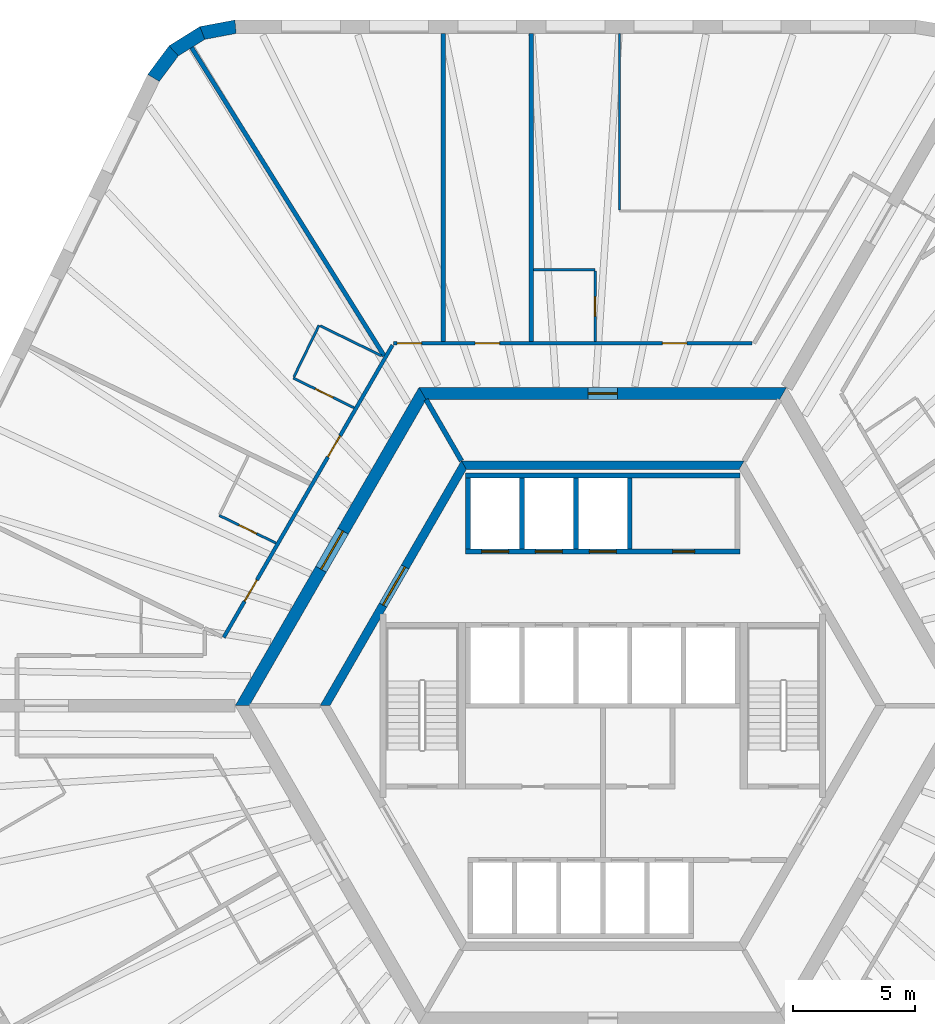
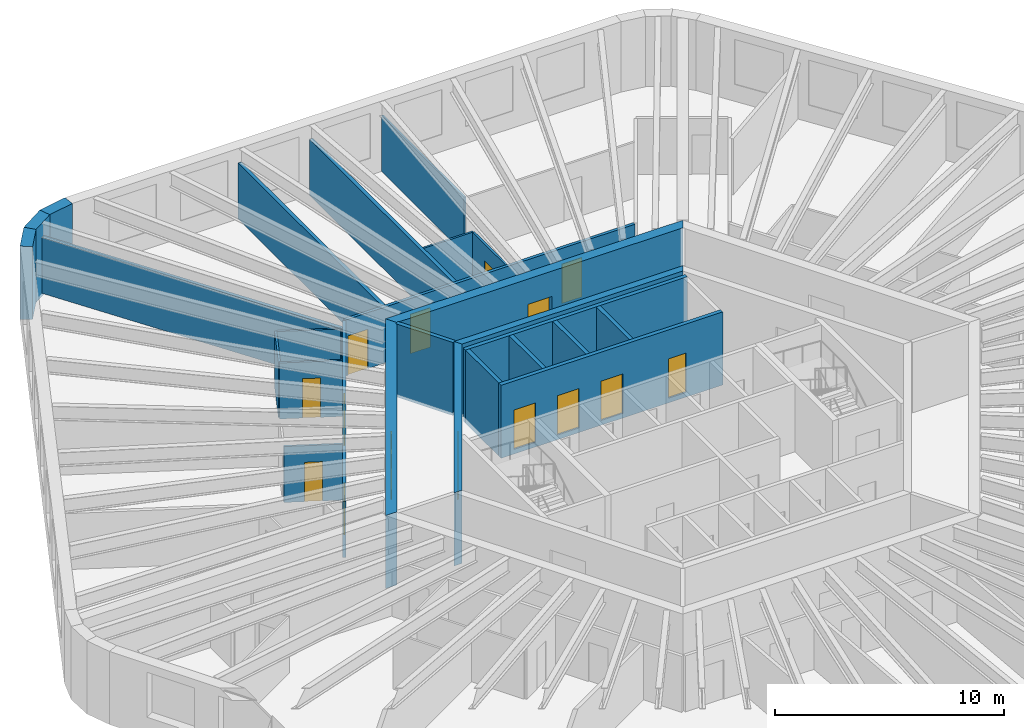
# One storey, part 7 of 10: 26 walls, 15 doors, 15 openings.
"""IFC4 building model written with IfcOpenShell, lengths in metres."""

from ifc_helpers import new_model, si_unit, direction, frame, frame_2d, origin, place, context, subcontext, project, spatial, polyline, rectangle, outline, extrude, material, layer, layer_set, type_object, element, fill, save


model = new_model("IFC4")

# Units and contexts
model_context = context("Model", 3, precision=1e-05, world=origin(), true_north=direction((0.0, 1.0)))
body_context = subcontext(model_context, "Body", "Model", "MODEL_VIEW")
ifc_project = project(units=[si_unit("LENGTHUNIT", "METRE"), si_unit("AREAUNIT", "SQUARE_METRE"), si_unit("VOLUMEUNIT", "CUBIC_METRE"), si_unit("PLANEANGLEUNIT", "RADIAN"), si_unit("MASSUNIT", "GRAM", prefix="KILO")], contexts=[model_context])

# Site, building, storey
site_placement = place(None, origin())
site = spatial("IfcSite", under=ifc_project, at=site_placement, CompositionType="ELEMENT")
building_placement = place(site_placement, origin())
building = spatial("IfcBuilding", under=site, at=building_placement, Name="Tarnside Tower", CompositionType="ELEMENT")
storey_placement = place(building_placement, frame((0.0, 0.0, 234.60009765625)))
storey = spatial("IfcBuildingStorey", under=building, at=storey_placement, Name="L56", CompositionType="ELEMENT", Elevation=234.60009765625)

# Wall
ifc_material_1 = material(Name="Gypsum board partition on steel studs", Category="steel")
ifc_layer_1 = layer(ifc_material_1, 0.10009765625)
ifc_layer_set_1 = layer_set([ifc_layer_1], Name="Bathroom wall 100")
wall_type_1 = type_object("IfcWallType", Name="Bathroom wall 100", PredefinedType="PARTITIONING", material=ifc_layer_set_1)
wall_1_placement = place(storey_placement, frame((-2.827880859375, 17.800048828125, 0.0), z_axis=(0.0, 0.0, 1.0), x_axis=(1.0, 0.0, 0.0)))
element("IfcWall", 1, at=wall_1_placement, inside=storey, type_object=wall_type_1, Name="Bathroom wall 18051", PredefinedType="PARTITIONING", context=body_context, shape_type="SweptSolid", body=[
    extrude(rectangle(XDim=2.510009765625, YDim=0.10009765625, at=frame_2d((1.2548828125, 0.0))), origin(), (0.0, 0.0, 1.0), 2.98779296875),
])

# Wall, opening, door
wall_2_placement = place(storey_placement, frame((-0.31787109375, 17.75, 0.0), z_axis=(0.0, 0.0, 1.0), x_axis=(0.0, -1.0, 0.0)))
wall_2 = element("IfcWall", 2, at=wall_2_placement, inside=storey, type_object=wall_type_1, Name="Bathroom wall 18052", PredefinedType="PARTITIONING", context=body_context, shape_type="SweptSolid", body=[
    extrude(rectangle(XDim=2.875, YDim=0.10009765625, at=frame_2d((1.4375, 0.0))), origin(), (0.0, 0.0, 1.0), 2.98779296875),
])
opening_1_placement = place(wall_2_placement, frame((1.050048828125, 0.0, 0.0)))
opening_1 = element("IfcOpeningElement", 3, at=opening_1_placement, cuts=wall_2, Name="Opening D-B1", PredefinedType="OPENING", context=body_context, shape_type="SweptSolid", body=[
    extrude(rectangle(XDim=0.800048828125, YDim=2.10009765625, at=frame_2d((0.39990234375, 1.050048828125))), frame((0.0, 0.06005859375, 0.0), z_axis=(0.0, -1.0, 0.0), x_axis=(1.0, 0.0, 0.0)), (0.0, 0.0, 1.0), 0.1201171875),
])
ifc_material_2 = material(Name="Timber door leaf", Category="wood")
door_type_1 = type_object("IfcDoorType", Name="Bathroom door 800", OperationType="NOTDEFINED", PredefinedType="DOOR", material=ifc_material_2)
door_1_placement = place(opening_1_placement, origin())
door_1 = element("IfcDoor", 4, at=door_1_placement, inside=storey, type_object=door_type_1, Name="Bathroom door 18002", OperationType="SINGLE_SWING_LEFT", OverallHeight=2.10009765625, OverallWidth=0.800048828125, PredefinedType="DOOR", context=body_context, shape_type="SweptSolid", body=[
    extrude(rectangle(XDim=0.800048828125, YDim=2.10009765625, at=frame_2d((0.39990234375, 1.050048828125))), frame((0.0, 0.02490234375, 0.0), z_axis=(0.0, -1.0, 0.0), x_axis=(1.0, 0.0, 0.0)), (0.0, 0.0, 1.0), 0.050048828125),
])
fill(opening_1, door_1)

wall_3_placement = place(storey_placement, frame((-10.153076171875, 12.164306640625, 0.0), z_axis=(0.0, 0.0, 1.0), x_axis=(-0.898780323471, 0.438399281638, 0.0)))
wall_3 = element("IfcWall", 5, at=wall_3_placement, inside=storey, type_object=wall_type_1, Name="Bathroom wall 18059", PredefinedType="PARTITIONING", context=body_context, shape_type="SweptSolid", body=[
    extrude(rectangle(XDim=2.765625, YDim=0.10009765625, at=frame_2d((1.3828125, 0.0))), origin(), (0.0, 0.0, 1.0), 2.98779296875),
])
opening_2_placement = place(wall_3_placement, frame((0.965576171875, 0.0, 0.0)))
opening_2 = element("IfcOpeningElement", 6, at=opening_2_placement, cuts=wall_3, Name="Opening D-B1", PredefinedType="OPENING", context=body_context, shape_type="SweptSolid", body=[
    extrude(rectangle(XDim=0.800048828125, YDim=2.10009765625, at=frame_2d((0.39990234375, 1.050048828125))), frame((0.0, 0.06005859375, 0.0), z_axis=(0.0, -1.0, 0.0), x_axis=(1.0, 0.0, 0.0)), (0.0, 0.0, 1.0), 0.1201171875),
])
door_2_placement = place(opening_2_placement, origin())
door_2 = element("IfcDoor", 7, at=door_2_placement, inside=storey, type_object=door_type_1, Name="Bathroom door 18007", OperationType="SINGLE_SWING_LEFT", OverallHeight=2.10009765625, OverallWidth=0.800048828125, PredefinedType="DOOR", context=body_context, shape_type="SweptSolid", body=[
    extrude(rectangle(XDim=0.800048828125, YDim=2.10009765625, at=frame_2d((0.39990234375, 1.050048828125))), frame((0.0, 0.02490234375, 0.0), z_axis=(0.0, -1.0, 0.0), x_axis=(1.0, 0.0, 0.0)), (0.0, 0.0, 1.0), 0.050048828125),
])
fill(opening_2, door_2)

# Walls
wall_4_placement = place(storey_placement, frame((-12.61669921875, 13.421630859375, 0.0), z_axis=(0.0, 0.0, 1.0), x_axis=(0.438298773825, 0.898829341345, 0.0)))
element("IfcWall", 8, at=wall_4_placement, inside=storey, type_object=wall_type_1, Name="Bathroom wall 18060", PredefinedType="PARTITIONING", context=body_context, shape_type="SweptSolid", body=[
    extrude(rectangle(XDim=2.35009765625, YDim=0.10009765625, at=frame_2d((1.175048828125, 0.0))), origin(), (0.0, 0.0, 1.0), 2.98779296875),
])
wall_5_placement = place(storey_placement, frame((-11.541748046875, 15.511962890625, 0.0), z_axis=(0.0, 0.0, 1.0), x_axis=(0.898813033265, -0.438332215599, 0.0)))
element("IfcWall", 9, at=wall_5_placement, inside=storey, type_object=wall_type_1, Name="Bathroom wall 18061", PredefinedType="PARTITIONING", context=body_context, shape_type="SweptSolid", body=[
    extrude(rectangle(XDim=2.788818359375, YDim=0.10009765625, at=frame_2d((1.39453125, 0.0))), origin(), (0.0, 0.0, 1.0), 2.98779296875),
])

# Wall, opening, door
wall_6_placement = place(storey_placement, frame((-13.343017578125, 6.63916015625, 0.0), z_axis=(0.0, 0.0, 1.0), x_axis=(-0.898792082907, 0.438375172318, 0.0)))
wall_6 = element("IfcWall", 10, at=wall_6_placement, inside=storey, type_object=wall_type_1, Name="Bathroom wall 18064", PredefinedType="PARTITIONING", context=body_context, shape_type="SweptSolid", body=[
    extrude(rectangle(XDim=2.580810546875, YDim=0.10009765625, at=frame_2d((1.29052734375, 0.0))), origin(), (0.0, 0.0, 1.0), 2.98779296875),
])
opening_3_placement = place(wall_6_placement, frame((0.880859375, 0.0, 0.0)))
opening_3 = element("IfcOpeningElement", 11, at=opening_3_placement, cuts=wall_6, Name="Opening D-B1", PredefinedType="OPENING", context=body_context, shape_type="SweptSolid", body=[
    extrude(rectangle(XDim=0.800048828125, YDim=2.10009765625, at=frame_2d((0.39990234375, 1.050048828125))), frame((0.0, 0.06005859375, 0.0), z_axis=(0.0, -1.0, 0.0), x_axis=(1.0, 0.0, 0.0)), (0.0, 0.0, 1.0), 0.1201171875),
])
door_3_placement = place(opening_3_placement, origin())
door_3 = element("IfcDoor", 12, at=door_3_placement, inside=storey, type_object=door_type_1, Name="Bathroom door 18009", OperationType="SINGLE_SWING_RIGHT", OverallHeight=2.10009765625, OverallWidth=0.800048828125, PredefinedType="DOOR", context=body_context, shape_type="SweptSolid", body=[
    extrude(rectangle(XDim=0.800048828125, YDim=2.10009765625, at=frame_2d((0.39990234375, 1.050048828125))), frame((0.0, 0.02490234375, 0.0), z_axis=(0.0, -1.0, 0.0), x_axis=(1.0, 0.0, 0.0)), (0.0, 0.0, 1.0), 0.050048828125),
])
fill(opening_3, door_3)

ifc_material_3 = material(Name="Concrete C50/60", Category="concrete")
ifc_layer_2 = layer(ifc_material_3, 0.35009765625)
ifc_layer_set_2 = layer_set([ifc_layer_2], Name="Core block wall 350 C50/60")
wall_type_2 = type_object("IfcWallType", Name="Core block wall 350 C50/60", PredefinedType="SHEAR", material=ifc_layer_set_2)
wall_7_placement = place(storey_placement, frame((-5.672607421875, 9.824951171875, -0.150146484375), z_axis=(0.0, 0.0, 1.0), x_axis=(-0.499995046907, -0.866028263435, 0.0)))
wall_7 = element("IfcWall", 13, at=wall_7_placement, inside=storey, type_object=wall_type_2, Name="L56 core block wall face 2", PredefinedType="SHEAR", context=body_context, shape_type="SweptSolid", body=[
    extrude(outline(polyline([(-0.10107421875, -0.175048828125), (11.44580078125, -0.175048828125), (11.24365234375, 0.175048828125), (0.10107421875, 0.175048828125), (-0.10107421875, -0.175048828125)])), origin(), (0.0, 0.0, 1.0), 3.900146484375),
])
opening_4_placement = place(wall_7_placement, frame((4.80126953125, 0.0, 0.14990234375)))
opening_4 = element("IfcOpeningElement", 14, at=opening_4_placement, cuts=wall_7, Name="Opening CD-LOB", PredefinedType="OPENING", context=body_context, shape_type="SweptSolid", body=[
    extrude(rectangle(XDim=1.800048828125, YDim=2.39990234375, at=frame_2d((0.89990234375, 1.199951171875))), frame((0.0, 0.18505859375, 0.0), z_axis=(0.0, -1.0, 0.0), x_axis=(1.0, 0.0, 0.0)), (0.0, 0.0, 1.0), 0.3701171875),
])
ifc_material_4 = material(Name="Steel fire door", Category="steel")
door_type_2 = type_object("IfcDoorType", Name="Lobby double door FD30S 1800x2400", OperationType="NOTDEFINED", PredefinedType="DOOR", material=ifc_material_4)
door_4_placement = place(opening_4_placement, origin())
door_4 = element("IfcDoor", 15, at=door_4_placement, inside=storey, type_object=door_type_2, Name="L56 lobby block door P1", OperationType="DOUBLE_DOOR_SINGLE_SWING", OverallHeight=2.39990234375, OverallWidth=1.800048828125, PredefinedType="DOOR", context=body_context, shape_type="SweptSolid", body=[
    extrude(rectangle(XDim=1.800048828125, YDim=2.39990234375, at=frame_2d((0.89990234375, 1.199951171875))), frame((0.0, 0.02490234375, 0.0), z_axis=(0.0, -1.0, 0.0), x_axis=(1.0, 0.0, 0.0)), (0.0, 0.0, 1.0), 0.050048828125),
])
fill(opening_4, door_4)

# Wall
wall_8_placement = place(storey_placement, frame((5.672607421875, 9.824951171875, -0.150146484375), z_axis=(0.0, 0.0, 1.0), x_axis=(-1.0, 0.0, 0.0)))
element("IfcWall", 16, at=wall_8_placement, inside=storey, type_object=wall_type_2, Name="L56 core block wall face 1", PredefinedType="SHEAR", context=body_context, shape_type="SweptSolid", body=[
    extrude(outline(polyline([(-0.10107421875, -0.175048828125), (11.4462890625, -0.175048828125), (11.244140625, 0.175048828125), (0.10107421875, 0.175048828125), (-0.10107421875, -0.175048828125)])), origin(), (0.0, 0.0, 1.0), 3.900146484375),
])

# Wall, opening, door
ifc_material_5 = material(Name="Concrete C70/85", Category="concrete")
ifc_layer_3 = layer(ifc_material_5, 0.5)
ifc_layer_set_3 = layer_set([ifc_layer_3], Name="Core wall Z2 500 C70/85")
wall_type_3 = type_object("IfcWallType", Name="Core wall Z2 500 C70/85", PredefinedType="SHEAR", material=ifc_layer_set_3)
wall_9_placement = place(storey_placement, frame((-7.361083984375, 12.75, -0.150146484375), z_axis=(0.0, 0.0, 1.0), x_axis=(-0.50000571537, -0.866022103989, 0.0)))
wall_9 = element("IfcWall", 17, at=wall_9_placement, inside=storey, type_object=wall_type_3, Name="L56 core wall face 2", PredefinedType="SHEAR", context=body_context, shape_type="SweptSolid", body=[
    extrude(outline(polyline([(-0.144287109375, -0.25), (14.86669921875, -0.25), (14.578125, 0.25), (0.144287109375, 0.25), (-0.144287109375, -0.25)])), origin(), (0.0, 0.0, 1.0), 3.900146484375),
])
opening_5_placement = place(wall_9_placement, frame((6.489990234375, 0.0, 0.14990234375)))
opening_5 = element("IfcOpeningElement", 18, at=opening_5_placement, cuts=wall_9, Name="Opening CD-LOB", PredefinedType="OPENING", context=body_context, shape_type="SweptSolid", body=[
    extrude(rectangle(XDim=1.800048828125, YDim=2.39990234375, at=frame_2d((0.89990234375, 1.199951171875))), frame((0.0, 0.260009765625, 0.0), z_axis=(0.0, -1.0, 0.0), x_axis=(1.0, 0.0, 0.0)), (0.0, 0.0, 1.0), 0.52001953125),
])
door_5_placement = place(opening_5_placement, origin())
door_5 = element("IfcDoor", 19, at=door_5_placement, inside=storey, type_object=door_type_2, Name="L56 core door P1", OperationType="DOUBLE_DOOR_SINGLE_SWING", OverallHeight=2.39990234375, OverallWidth=1.800048828125, PredefinedType="DOOR", context=body_context, shape_type="SweptSolid", body=[
    extrude(rectangle(XDim=1.800048828125, YDim=2.39990234375, at=frame_2d((0.89990234375, 1.199951171875))), frame((0.0, 0.02490234375, 0.0), z_axis=(0.0, -1.0, 0.0), x_axis=(1.0, 0.0, 0.0)), (0.0, 0.0, 1.0), 0.050048828125),
])
fill(opening_5, door_5)

wall_10_placement = place(storey_placement, frame((7.361083984375, 12.75, -0.150146484375), z_axis=(0.0, 0.0, 1.0), x_axis=(-1.0, 0.0, 0.0)))
wall_10 = element("IfcWall", 20, at=wall_10_placement, inside=storey, type_object=wall_type_3, Name="L56 core wall face 1", PredefinedType="SHEAR", context=body_context, shape_type="SweptSolid", body=[
    extrude(outline(polyline([(-0.144287109375, -0.25), (14.866455078125, -0.25), (14.577880859375, 0.25), (0.144287109375, 0.25), (-0.144287109375, -0.25)])), origin(), (0.0, 0.0, 1.0), 3.900146484375),
])
opening_6_placement = place(wall_10_placement, frame((6.76123046875, 0.0, 0.14990234375)))
opening_6 = element("IfcOpeningElement", 21, at=opening_6_placement, cuts=wall_10, Name="Opening CD-RSR", PredefinedType="OPENING", context=body_context, shape_type="SweptSolid", body=[
    extrude(rectangle(XDim=1.199951171875, YDim=2.39990234375, at=frame_2d((0.60009765625, 1.199951171875))), frame((0.0, 0.260009765625, 0.0), z_axis=(0.0, -1.0, 0.0), x_axis=(1.0, 0.0, 0.0)), (0.0, 0.0, 1.0), 0.52001953125),
])
door_type_3 = type_object("IfcDoorType", Name="Riser door FD60 1200x2400", OperationType="NOTDEFINED", PredefinedType="DOOR", material=ifc_material_4)
door_6_placement = place(opening_6_placement, origin())
door_6 = element("IfcDoor", 22, at=door_6_placement, inside=storey, type_object=door_type_3, Name="L56 core door S5", OperationType="SINGLE_SWING_LEFT", OverallHeight=2.39990234375, OverallWidth=1.199951171875, PredefinedType="DOOR", context=body_context, shape_type="SweptSolid", body=[
    extrude(rectangle(XDim=1.199951171875, YDim=2.39990234375, at=frame_2d((0.60009765625, 1.199951171875))), frame((0.0, 0.02490234375, 0.0), z_axis=(0.0, -1.0, 0.0), x_axis=(1.0, 0.0, 0.0)), (0.0, 0.0, 1.0), 0.050048828125),
])
fill(opening_6, door_6)

# Wall, openings, doors
ifc_layer_4 = layer(ifc_material_1, 0.14990234375)
ifc_layer_set_4 = layer_set([ifc_layer_4], Name="Corridor wall 150 EI 60")
wall_type_4 = type_object("IfcWallType", Name="Corridor wall 150 EI 60", PredefinedType="PARTITIONING", material=ifc_layer_set_4)
wall_11_placement = place(storey_placement, frame((6.091064453125, 14.800048828125, 0.0), z_axis=(0.0, 0.0, 1.0), x_axis=(-1.0, 0.0, 0.0)))
wall_11 = element("IfcWall", 23, at=wall_11_placement, inside=storey, type_object=wall_type_4, Name="Corridor wall 18002", PredefinedType="PARTITIONING", context=body_context, shape_type="SweptSolid", body=[
    extrude(rectangle(XDim=14.6357421875, YDim=0.14990234375, at=frame_2d((7.31787109375, 0.0))), origin(), (0.0, 0.0, 1.0), 2.98779296875),
])
opening_7_placement = place(wall_11_placement, frame((2.6611328125, 0.0, 0.0)))
opening_7 = element("IfcOpeningElement", 24, at=opening_7_placement, cuts=wall_11, Name="Opening D-E1", PredefinedType="OPENING", context=body_context, shape_type="SweptSolid", body=[
    extrude(rectangle(XDim=1.0, YDim=2.10009765625, at=frame_2d((0.5, 1.050048828125))), frame((0.0, 0.0849609375, 0.0), z_axis=(0.0, -1.0, 0.0), x_axis=(1.0, 0.0, 0.0)), (0.0, 0.0, 1.0), 0.169921875),
])
opening_8_placement = place(wall_11_placement, frame((10.308837890625, 0.0, 0.0)))
opening_8 = element("IfcOpeningElement", 25, at=opening_8_placement, cuts=wall_11, Name="Opening D-E1", PredefinedType="OPENING", context=body_context, shape_type="SweptSolid", body=[
    extrude(rectangle(XDim=1.0, YDim=2.10009765625, at=frame_2d((0.5, 1.050048828125))), frame((0.0, 0.0849609375, 0.0), z_axis=(0.0, -1.0, 0.0), x_axis=(1.0, 0.0, 0.0)), (0.0, 0.0, 1.0), 0.169921875),
])
opening_9_placement = place(wall_11_placement, frame((13.48583984375, 0.0, 0.0)))
opening_9 = element("IfcOpeningElement", 26, at=opening_9_placement, cuts=wall_11, Name="Opening D-E1", PredefinedType="OPENING", context=body_context, shape_type="SweptSolid", body=[
    extrude(rectangle(XDim=1.0, YDim=2.10009765625, at=frame_2d((0.5, 1.050048828125))), frame((0.0, 0.0849609375, 0.0), z_axis=(0.0, -1.0, 0.0), x_axis=(1.0, 0.0, 0.0)), (0.0, 0.0, 1.0), 0.169921875),
])
door_type_4 = type_object("IfcDoorType", Name="Unit entrance door 1000 FD30S", OperationType="NOTDEFINED", PredefinedType="DOOR", material=ifc_material_2)
door_7_placement = place(opening_7_placement, origin())
door_7 = element("IfcDoor", 27, at=door_7_placement, inside=storey, type_object=door_type_4, Name="Unit door 18001", OperationType="SINGLE_SWING_RIGHT", OverallHeight=2.10009765625, OverallWidth=1.0, PredefinedType="DOOR", context=body_context, shape_type="SweptSolid", body=[
    extrude(rectangle(XDim=1.0, YDim=2.10009765625, at=frame_2d((0.5, 1.050048828125))), frame((0.0, 0.02490234375, 0.0), z_axis=(0.0, -1.0, 0.0), x_axis=(1.0, 0.0, 0.0)), (0.0, 0.0, 1.0), 0.050048828125),
])
fill(opening_7, door_7)
door_8_placement = place(opening_8_placement, origin())
door_8 = element("IfcDoor", 28, at=door_8_placement, inside=storey, type_object=door_type_4, Name="Unit door 18004", OperationType="SINGLE_SWING_RIGHT", OverallHeight=2.10009765625, OverallWidth=1.0, PredefinedType="DOOR", context=body_context, shape_type="SweptSolid", body=[
    extrude(rectangle(XDim=1.0, YDim=2.10009765625, at=frame_2d((0.5, 1.050048828125))), frame((0.0, 0.02490234375, 0.0), z_axis=(0.0, -1.0, 0.0), x_axis=(1.0, 0.0, 0.0)), (0.0, 0.0, 1.0), 0.050048828125),
])
fill(opening_8, door_8)
door_9_placement = place(opening_9_placement, origin())
door_9 = element("IfcDoor", 29, at=door_9_placement, inside=storey, type_object=door_type_4, Name="Unit door 18005", OperationType="SINGLE_SWING_LEFT", OverallHeight=2.10009765625, OverallWidth=1.0, PredefinedType="DOOR", context=body_context, shape_type="SweptSolid", body=[
    extrude(rectangle(XDim=1.0, YDim=2.10009765625, at=frame_2d((0.5, 1.050048828125))), frame((0.0, 0.02490234375, 0.0), z_axis=(0.0, -1.0, 0.0), x_axis=(1.0, 0.0, 0.0)), (0.0, 0.0, 1.0), 0.050048828125),
])
fill(opening_9, door_9)

wall_12_placement = place(storey_placement, frame((-8.588134765625, 14.72509765625, 0.0), z_axis=(0.0, 0.0, 1.0), x_axis=(-0.499999926766, -0.866025446066, 0.0)))
wall_12 = element("IfcWall", 30, at=wall_12_placement, inside=storey, type_object=wall_type_4, Name="Corridor wall 18008", PredefinedType="PARTITIONING", context=body_context, shape_type="SweptSolid", body=[
    extrude(rectangle(XDim=13.78564453125, YDim=0.14990234375, at=frame_2d((6.892822265625, 0.0))), origin(), (0.0, 0.0, 1.0), 2.98779296875),
])
opening_10_placement = place(wall_12_placement, frame((4.275634765625, 0.0, 0.0)))
opening_10 = element("IfcOpeningElement", 31, at=opening_10_placement, cuts=wall_12, Name="Opening D-E1", PredefinedType="OPENING", context=body_context, shape_type="SweptSolid", body=[
    extrude(rectangle(XDim=1.0, YDim=2.10009765625, at=frame_2d((0.5, 1.050048828125))), frame((0.0, 0.0849609375, 0.0), z_axis=(0.0, -1.0, 0.0), x_axis=(1.0, 0.0, 0.0)), (0.0, 0.0, 1.0), 0.169921875),
])
opening_11_placement = place(wall_12_placement, frame((11.073486328125, 0.0, 0.0)))
opening_11 = element("IfcOpeningElement", 32, at=opening_11_placement, cuts=wall_12, Name="Opening D-E1", PredefinedType="OPENING", context=body_context, shape_type="SweptSolid", body=[
    extrude(rectangle(XDim=1.0, YDim=2.10009765625, at=frame_2d((0.5, 1.050048828125))), frame((0.0, 0.0849609375, 0.0), z_axis=(0.0, -1.0, 0.0), x_axis=(1.0, 0.0, 0.0)), (0.0, 0.0, 1.0), 0.169921875),
])
door_10_placement = place(opening_10_placement, origin())
door_10 = element("IfcDoor", 33, at=door_10_placement, inside=storey, type_object=door_type_4, Name="Unit door 18006", OperationType="SINGLE_SWING_LEFT", OverallHeight=2.10009765625, OverallWidth=1.0, PredefinedType="DOOR", context=body_context, shape_type="SweptSolid", body=[
    extrude(rectangle(XDim=1.0, YDim=2.10009765625, at=frame_2d((0.5, 1.050048828125))), frame((0.0, 0.02490234375, 0.0), z_axis=(0.0, -1.0, 0.0), x_axis=(1.0, 0.0, 0.0)), (0.0, 0.0, 1.0), 0.050048828125),
])
fill(opening_10, door_10)
door_11_placement = place(opening_11_placement, origin())
door_11 = element("IfcDoor", 34, at=door_11_placement, inside=storey, type_object=door_type_4, Name="Unit door 18008", OperationType="SINGLE_SWING_LEFT", OverallHeight=2.10009765625, OverallWidth=1.0, PredefinedType="DOOR", context=body_context, shape_type="SweptSolid", body=[
    extrude(rectangle(XDim=1.0, YDim=2.10009765625, at=frame_2d((0.5, 1.050048828125))), frame((0.0, 0.02490234375, 0.0), z_axis=(0.0, -1.0, 0.0), x_axis=(1.0, 0.0, 0.0)), (0.0, 0.0, 1.0), 0.050048828125),
])
fill(opening_11, door_11)

# Walls
ifc_layer_5 = layer(ifc_material_1, 0.179931640625)
ifc_layer_set_5 = layer_set([ifc_layer_5], Name="Demising wall 180 EI 60")
wall_type_5 = type_object("IfcWallType", Name="Demising wall 180 EI 60", PredefinedType="PARTITIONING", material=ifc_layer_set_5)
for number, where, z_axis, x_axis, name in (
    (35, (-2.91796875, 27.449951171875, 0.0), (0.0, 0.0, 1.0), (0.0, -1.0, 0.0), "Demising wall 18055"),
    (36, (-6.517822265625, 27.449951171875, 0.0), (0.0, 0.0, 1.0), (0.0, -1.0, 0.0), "Demising wall 18057"),
):
    element("IfcWall", number, at=place(storey_placement, frame(where, z_axis=z_axis, x_axis=x_axis)), inside=storey, type_object=wall_type_5, Name=name, PredefinedType="PARTITIONING", context=body_context, shape_type="SweptSolid", body=[
        extrude(rectangle(XDim=12.574951171875, YDim=0.179931640625, at=frame_2d((6.28759765625, 0.0))), origin(), (0.0, 0.0, 1.0), 2.98779296875),
    ])
wall_13_placement = place(storey_placement, frame((-16.791015625, 26.87109375, 0.0), z_axis=(0.0, 0.0, 1.0), x_axis=(0.529927950822, -0.848042668111, 0.0)))
element("IfcWall", 37, at=wall_13_placement, inside=storey, type_object=wall_type_5, Name="Demising wall 18058", PredefinedType="PARTITIONING", context=body_context, shape_type="SweptSolid", body=[
    extrude(rectangle(XDim=14.8388671875, YDim=0.179931640625, at=frame_2d((7.41943359375, 0.0))), origin(), (0.0, 0.0, 1.0), 2.98779296875),
])

# Wall, openings, doors
ifc_material_6 = material(Name="Concrete C40/50", Category="concrete")
ifc_layer_6 = layer(ifc_material_6, 0.199951171875)
ifc_layer_set_6 = layer_set([ifc_layer_6], Name="Lift shaft wall 200 C40/50")
wall_type_6 = type_object("IfcWallType", Name="Lift shaft wall 200 C40/50", PredefinedType="SHEAR", material=ifc_layer_set_6)
wall_14_placement = place(storey_placement, frame((-5.60009765625, 6.300048828125, -0.25), z_axis=(0.0, 0.0, 1.0), x_axis=(1.0, 0.0, 0.0)))
wall_14 = element("IfcWall", 38, at=wall_14_placement, inside=storey, type_object=wall_type_6, Name="L56 lift shaft front wall R1", PredefinedType="SHEAR", context=body_context, shape_type="SweptSolid", body=[
    extrude(rectangle(XDim=11.2001953125, YDim=0.199951171875, at=frame_2d((5.60009765625, 0.0))), origin(), (0.0, 0.0, 1.0), 3.89990234375),
])
opening_12_placement = place(wall_14_placement, frame((8.449951171875, 0.0, 0.25)))
opening_12 = element("IfcOpeningElement", 39, at=opening_12_placement, cuts=wall_14, Name="Opening CD-room", PredefinedType="OPENING", context=body_context, shape_type="SweptSolid", body=[
    extrude(rectangle(XDim=0.89990234375, YDim=2.10009765625, at=frame_2d((0.449951171875, 1.050048828125))), frame((0.0, 0.10986328125, 0.0), z_axis=(0.0, -1.0, 0.0), x_axis=(1.0, 0.0, 0.0)), (0.0, 0.0, 1.0), 0.219970703125),
])
opening_13_placement = place(wall_14_placement, frame((0.64990234375, 0.0, 0.25)))
opening_13 = element("IfcOpeningElement", 40, at=opening_13_placement, cuts=wall_14, Name="Opening LD", PredefinedType="OPENING", context=body_context, shape_type="SweptSolid", body=[
    extrude(rectangle(XDim=1.10009765625, YDim=2.10009765625, at=frame_2d((0.550048828125, 1.050048828125))), frame((0.0, 0.10986328125, 0.0), z_axis=(0.0, -1.0, 0.0), x_axis=(1.0, 0.0, 0.0)), (0.0, 0.0, 1.0), 0.219970703125),
])
opening_14_placement = place(wall_14_placement, frame((2.85009765625, 0.0, 0.25)))
opening_14 = element("IfcOpeningElement", 41, at=opening_14_placement, cuts=wall_14, Name="Opening LD", PredefinedType="OPENING", context=body_context, shape_type="SweptSolid", body=[
    extrude(rectangle(XDim=1.10009765625, YDim=2.10009765625, at=frame_2d((0.550048828125, 1.050048828125))), frame((0.0, 0.10986328125, 0.0), z_axis=(0.0, -1.0, 0.0), x_axis=(1.0, 0.0, 0.0)), (0.0, 0.0, 1.0), 0.219970703125),
])
opening_15_placement = place(wall_14_placement, frame((5.050048828125, 0.0, 0.25)))
opening_15 = element("IfcOpeningElement", 42, at=opening_15_placement, cuts=wall_14, Name="Opening LD", PredefinedType="OPENING", context=body_context, shape_type="SweptSolid", body=[
    extrude(rectangle(XDim=1.10009765625, YDim=2.10009765625, at=frame_2d((0.550048828125, 1.050048828125))), frame((0.0, 0.10986328125, 0.0), z_axis=(0.0, -1.0, 0.0), x_axis=(1.0, 0.0, 0.0)), (0.0, 0.0, 1.0), 0.219970703125),
])
ifc_material_7 = material(Name="Stainless steel", Category="steel")
door_type_5 = type_object("IfcDoorType", Name="Lift landing door 1100x2100", OperationType="NOTDEFINED", PredefinedType="DOOR", material=ifc_material_7)
door_12_placement = place(opening_13_placement, origin())
door_12 = element("IfcDoor", 43, at=door_12_placement, inside=storey, type_object=door_type_5, Name="Mid-rise lift 1 landing door L56", OperationType="SLIDING_TO_LEFT", OverallHeight=2.10009765625, OverallWidth=1.10009765625, PredefinedType="DOOR", context=body_context, shape_type="SweptSolid", body=[
    extrude(rectangle(XDim=1.10009765625, YDim=2.10009765625, at=frame_2d((0.550048828125, 1.050048828125))), frame((0.0, 0.02490234375, 0.0), z_axis=(0.0, -1.0, 0.0), x_axis=(1.0, 0.0, 0.0)), (0.0, 0.0, 1.0), 0.050048828125),
])
fill(opening_13, door_12)
door_13_placement = place(opening_14_placement, origin())
door_13 = element("IfcDoor", 44, at=door_13_placement, inside=storey, type_object=door_type_5, Name="Mid-rise lift 2 landing door L56", OperationType="SLIDING_TO_LEFT", OverallHeight=2.10009765625, OverallWidth=1.10009765625, PredefinedType="DOOR", context=body_context, shape_type="SweptSolid", body=[
    extrude(rectangle(XDim=1.10009765625, YDim=2.10009765625, at=frame_2d((0.550048828125, 1.050048828125))), frame((0.0, 0.02490234375, 0.0), z_axis=(0.0, -1.0, 0.0), x_axis=(1.0, 0.0, 0.0)), (0.0, 0.0, 1.0), 0.050048828125),
])
fill(opening_14, door_13)
door_14_placement = place(opening_15_placement, origin())
door_14 = element("IfcDoor", 45, at=door_14_placement, inside=storey, type_object=door_type_5, Name="Mid-rise lift 3 landing door L56", OperationType="SLIDING_TO_LEFT", OverallHeight=2.10009765625, OverallWidth=1.10009765625, PredefinedType="DOOR", context=body_context, shape_type="SweptSolid", body=[
    extrude(rectangle(XDim=1.10009765625, YDim=2.10009765625, at=frame_2d((0.550048828125, 1.050048828125))), frame((0.0, 0.02490234375, 0.0), z_axis=(0.0, -1.0, 0.0), x_axis=(1.0, 0.0, 0.0)), (0.0, 0.0, 1.0), 0.050048828125),
])
fill(opening_15, door_14)
door_type_6 = type_object("IfcDoorType", Name="Room door FD60 900x2100", OperationType="NOTDEFINED", PredefinedType="DOOR", material=ifc_material_4)
door_15_placement = place(opening_12_placement, origin())
door_15 = element("IfcDoor", 46, at=door_15_placement, inside=storey, type_object=door_type_6, Name="L56 core room door FC1", OperationType="SINGLE_SWING_LEFT", OverallHeight=2.10009765625, OverallWidth=0.89990234375, PredefinedType="DOOR", context=body_context, shape_type="SweptSolid", body=[
    extrude(rectangle(XDim=0.89990234375, YDim=2.10009765625, at=frame_2d((0.449951171875, 1.050048828125))), frame((0.0, 0.02490234375, 0.0), z_axis=(0.0, -1.0, 0.0), x_axis=(1.0, 0.0, 0.0)), (0.0, 0.0, 1.0), 0.050048828125),
])
fill(opening_12, door_15)

# Walls
wall_15_placement = place(storey_placement, frame((-5.60009765625, 9.39990234375, -0.25), z_axis=(0.0, 0.0, 1.0), x_axis=(1.0, 0.0, 0.0)))
element("IfcWall", 47, at=wall_15_placement, inside=storey, type_object=wall_type_6, Name="L56 lift shaft back wall R1", PredefinedType="SHEAR", context=body_context, shape_type="SweptSolid", body=[
    extrude(rectangle(XDim=11.2001953125, YDim=0.199951171875, at=frame_2d((5.60009765625, 0.0))), origin(), (0.0, 0.0, 1.0), 3.89990234375),
])
for number, where, z_axis, x_axis, name in (
    (48, (-5.5, 6.39990234375, -0.25), (0.0, 0.0, 1.0), (0.0, 1.0, 0.0), "L56 lift shaft partition R11"),
    (49, (-3.300048828125, 6.39990234375, -0.25), (0.0, 0.0, 1.0), (0.0, 1.0, 0.0), "L56 lift shaft partition R12"),
    (50, (-1.10009765625, 6.39990234375, -0.25), (0.0, 0.0, 1.0), (0.0, 1.0, 0.0), "L56 lift shaft partition R13"),
    (51, (1.10009765625, 6.39990234375, -0.25), (0.0, 0.0, 1.0), (0.0, 1.0, 0.0), "L56 lift shaft partition R14"),
):
    element("IfcWall", number, at=place(storey_placement, frame(where, z_axis=z_axis, x_axis=x_axis)), inside=storey, type_object=wall_type_6, Name=name, PredefinedType="SHEAR", context=body_context, shape_type="SweptSolid", body=[
        extrude(rectangle(XDim=2.900146484375, YDim=0.199951171875, at=frame_2d((1.4501953125, 0.0))), origin(), (0.0, 0.0, 1.0), 3.89990234375),
    ])
wall_16_placement = place(storey_placement, frame((-5.7734375, 10.0, -0.150146484375), z_axis=(0.0, 0.0, 1.0), x_axis=(-0.499995765644, 0.866027848477, 0.0)))
element("IfcWall", 52, at=wall_16_placement, inside=storey, type_object=wall_type_6, Name="L56 core partition AR120", PredefinedType="SHEAR", context=body_context, shape_type="SweptSolid", body=[
    extrude(rectangle(XDim=2.88671875, YDim=0.199951171875, at=frame_2d((1.443359375, 0.0))), origin(), (0.0, 0.0, 1.0), 3.900146484375),
])
ifc_layer_7 = layer(ifc_material_1, 0.10009765625)
ifc_layer_set_7 = layer_set([ifc_layer_7], Name="Partition 100")
wall_type_7 = type_object("IfcWallType", Name="Partition 100", PredefinedType="PARTITIONING", material=ifc_layer_set_7)
wall_17_placement = place(storey_placement, frame((0.68212890625, 20.25, 0.0), z_axis=(0.0, 0.0, 1.0), x_axis=(0.0, 1.0, 0.0)))
element("IfcWall", 53, at=wall_17_placement, inside=storey, type_object=wall_type_7, Name="Partition wall 18054", PredefinedType="PARTITIONING", context=body_context, shape_type="SweptSolid", body=[
    extrude(rectangle(XDim=7.199951171875, YDim=0.10009765625, at=frame_2d((3.60009765625, 0.0))), origin(), (0.0, 0.0, 1.0), 2.98779296875),
])
ifc_material_8 = material(Name="Facing brick", Category="masonry")
ifc_layer_8 = layer(ifc_material_8, 0.10205078125)
ifc_material_9 = material(Name="Concrete C60/75 precast", Category="concrete")
ifc_layer_9 = layer(ifc_material_9, 0.347900390625)
ifc_material_10 = material(Name="Mineral wool insulation")
ifc_layer_10 = layer(ifc_material_10, 0.10009765625)
ifc_layer_set_8 = layer_set([ifc_layer_8, ifc_layer_9, ifc_layer_10], Name="Tube wall 550 brick faced")
wall_type_8 = type_object("IfcWallType", Name="Tube wall 550 brick faced", PredefinedType="SOLIDWALL", material=ifc_layer_set_8)
wall_18_placement = place(storey_placement, frame((-14.996826171875, 27.72509765625, -0.150146484375), z_axis=(0.0, 0.0, 1.0), x_axis=(-0.982705443133, -0.185175624845, 0.0)))
element("IfcWall", 54, at=wall_18_placement, inside=storey, type_object=wall_type_8, Name="Tube wall L56 F1 chord 01", PredefinedType="SOLIDWALL", context=body_context, shape_type="SweptSolid", body=[
    extrude(outline(polyline([(-0.025634765625, -0.27490234375), (1.430908203125, -0.27490234375), (1.327392578125, 0.27490234375), (0.025634765625, 0.27490234375), (-0.025634765625, -0.27490234375)])), origin(), (0.0, 0.0, 1.0), 3.900146484375),
])
wall_19_placement = place(storey_placement, frame((-16.35205078125, 27.4697265625, -0.150146484375), z_axis=(0.0, 0.0, 1.0), x_axis=(-0.848057977594, -0.5299034503, 0.0)))
element("IfcWall", 55, at=wall_19_placement, inside=storey, type_object=wall_type_8, Name="Tube wall L56 F1 chord 02", PredefinedType="SOLIDWALL", context=body_context, shape_type="SweptSolid", body=[
    extrude(outline(polyline([(-0.0517578125, -0.27490234375), (1.4306640625, -0.27490234375), (1.3271484375, 0.27490234375), (0.0517578125, 0.27490234375), (-0.0517578125, -0.27490234375)])), origin(), (0.0, 0.0, 1.0), 3.900146484375),
])
wall_20_placement = place(storey_placement, frame((-17.521484375, 26.739013671875, -0.150146484375), z_axis=(0.0, 0.0, 1.0), x_axis=(-0.597135295884, -0.802140535324, 0.0)))
element("IfcWall", 56, at=wall_20_placement, inside=storey, type_object=wall_type_8, Name="Tube wall L56 F1 chord 03", PredefinedType="SOLIDWALL", context=body_context, shape_type="SweptSolid", body=[
    extrude(outline(polyline([(-0.0517578125, -0.27490234375), (1.40478515625, -0.27490234375), (1.353515625, 0.27490234375), (0.0517578125, 0.27490234375), (-0.0517578125, -0.27490234375)])), origin(), (0.0, 0.0, 1.0), 3.900146484375),
])

save(model, "model.ifc")
